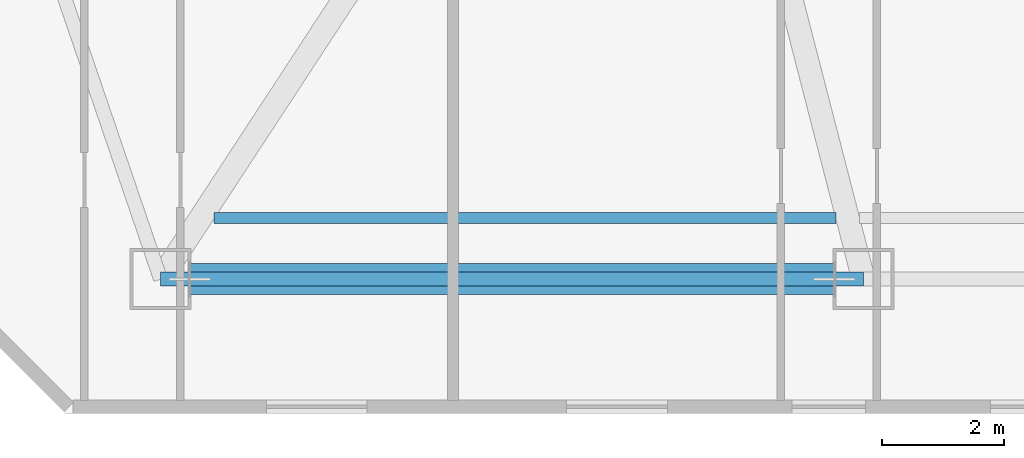
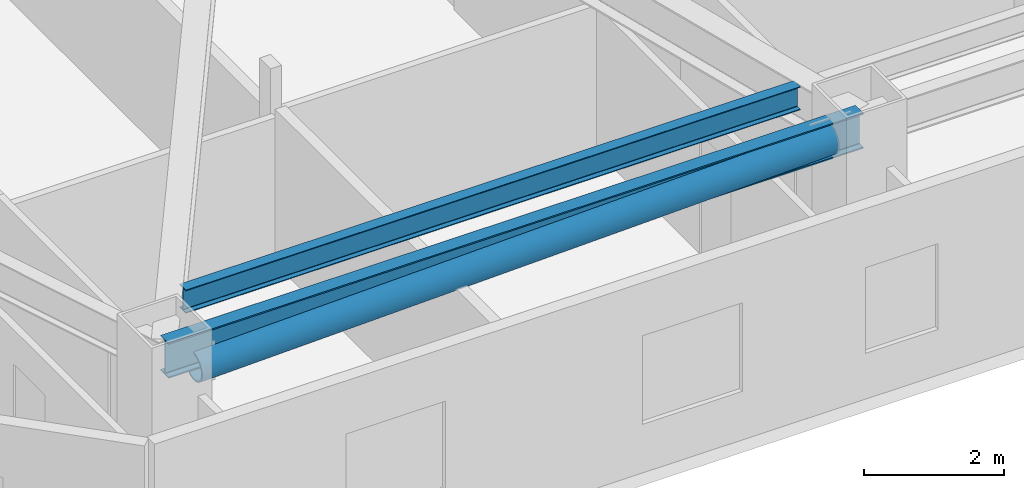
# One storey, part 3 of 18: 2 beams, 1 member.
"""IFC4 building model written with IfcOpenShell, lengths in metres."""

from ifc_helpers import new_model, si_unit, direction, frame, origin, origin_2d, place, context, subcontext, project, spatial, hollow_circle, i_section, extrude, material, material_profile, profile_set, type_object, element, save


model = new_model("IFC4")

# Units and contexts
model_context = context("Model", 3, precision=1e-05, world=origin(), true_north=direction((0.0, 1.0)))
body_context = subcontext(model_context, "Body", "Model", "MODEL_VIEW")
ifc_project = project(units=[si_unit("LENGTHUNIT", "METRE"), si_unit("AREAUNIT", "SQUARE_METRE"), si_unit("VOLUMEUNIT", "CUBIC_METRE"), si_unit("PLANEANGLEUNIT", "RADIAN"), si_unit("MASSUNIT", "GRAM", prefix="KILO")], contexts=[model_context])

# Site, building, storey
site_placement = place(None, origin())
site = spatial("IfcSite", under=ifc_project, at=site_placement, CompositionType="ELEMENT")
building_placement = place(site_placement, origin())
building = spatial("IfcBuilding", under=site, at=building_placement, Name="Khamvora Tower", CompositionType="ELEMENT")
storey_placement = place(building_placement, frame((0.0, 0.0, 80.75)))
storey = spatial("IfcBuildingStorey", under=building, at=storey_placement, Name="L20", CompositionType="ELEMENT", Elevation=80.75)

# Beams
ifc_material_1 = material(Name="Steel S355", Category="steel")
ifc_material_profile_1 = material_profile(ifc_material_1, i_section(OverallWidth=0.177978515625, OverallDepth=0.406982421875, WebThickness=0.008056640625, FlangeThickness=0.012939453125, FilletRadius=0.010009765625, at=origin_2d()), Name="W410x60")
ifc_profile_set_1 = profile_set([ifc_material_profile_1], Name="Steel S355")
beam_type_1 = type_object("IfcBeamType", Name="BM-JS-W410x60", PredefinedType="JOIST", material=ifc_profile_set_1)
beam_1_placement = place(storey_placement, frame((10.626953125, 6.199951171875, 3.1259765625), z_axis=(1.0, 0.0, 0.0), x_axis=(0.0, 1.0, 0.0)))
element("IfcBeam", 1, at=beam_1_placement, inside=storey, type_object=beam_type_1, Name="L20 secondary floor joist 01", PredefinedType="JOIST", context=body_context, shape_type="SweptSolid", body=[
    extrude(i_section(OverallWidth=0.177978515625, OverallDepth=0.406982421875, WebThickness=0.008056640625, FlangeThickness=0.012939453125, FilletRadius=0.010009765625, at=origin_2d()), origin(), (0.0, 0.0, 1.0), 10.173095703125),
])
ifc_material_profile_2 = material_profile(ifc_material_1, i_section(OverallWidth=0.22998046875, OverallDepth=0.616943359375, WebThickness=0.012939453125, FlangeThickness=0.02197265625, FilletRadius=0.013916015625, at=origin_2d()), Name="W610x140")
ifc_profile_set_2 = profile_set([ifc_material_profile_2], Name="Steel S355")
beam_type_2 = type_object("IfcBeamType", Name="BM-SP-W610x140", PredefinedType="SPANDREL", material=ifc_profile_set_2)
beam_2_placement = place(storey_placement, frame((9.75, 5.199951171875, 3.02197265625), z_axis=(1.0, 0.0, 0.0), x_axis=(0.0, 1.0, 0.0)))
element("IfcBeam", 2, at=beam_2_placement, inside=storey, type_object=beam_type_2, Name="L20 perimeter spandrel beam S1-S2", PredefinedType="SPANDREL", context=body_context, shape_type="SweptSolid", body=[
    extrude(i_section(OverallWidth=0.22998046875, OverallDepth=0.616943359375, WebThickness=0.012939453125, FlangeThickness=0.02197265625, FilletRadius=0.013916015625, at=origin_2d()), origin(), (0.0, 0.0, 1.0), 11.5),
])

# Member
ifc_material_2 = material(Name="Steel S460", Category="steel")
ifc_material_profile_3 = material_profile(ifc_material_2, hollow_circle(Radius=0.25390625, WallThickness=0.02490234375, at=origin_2d()), Name="CHS508x25")
ifc_profile_set_3 = profile_set([ifc_material_profile_3], Name="Steel S460")
member_type = type_object("IfcMemberType", Name="MEM-BR-CHS508", PredefinedType="BRACE", material=ifc_profile_set_3)
member_placement = place(storey_placement, frame((10.22998046875, 5.199951171875, 2.694091796875), z_axis=(0.999556637757, 0.0, 0.029774618645), x_axis=(0.0, 1.0, 0.0)))
element("IfcMember", 3, at=member_placement, inside=storey, type_object=member_type, Name="L20 perimeter wind brace 1", PredefinedType="BRACE", context=body_context, shape_type="SweptSolid", body=[
    extrude(hollow_circle(Radius=0.25390625, WallThickness=0.02490234375, at=origin_2d()), origin(), (0.0, 0.0, 1.0), 10.544677734375),
])

save(model, "model.ifc")
